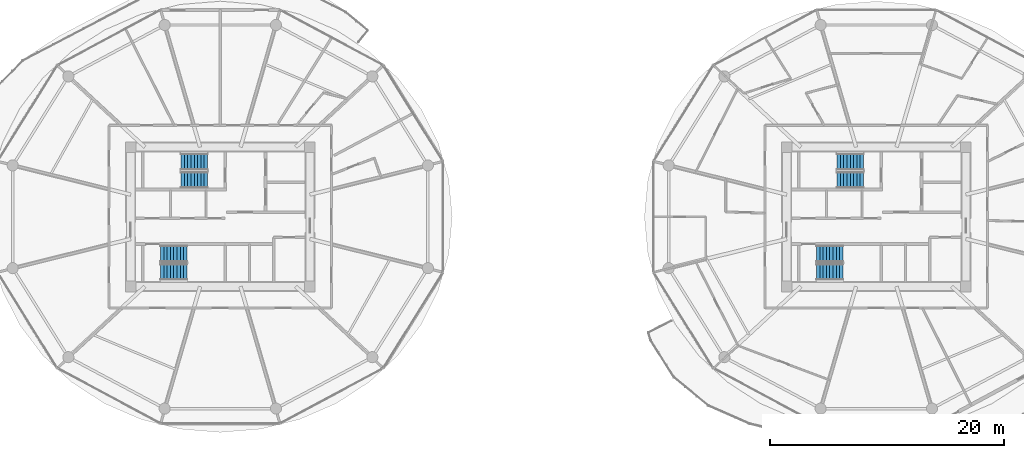
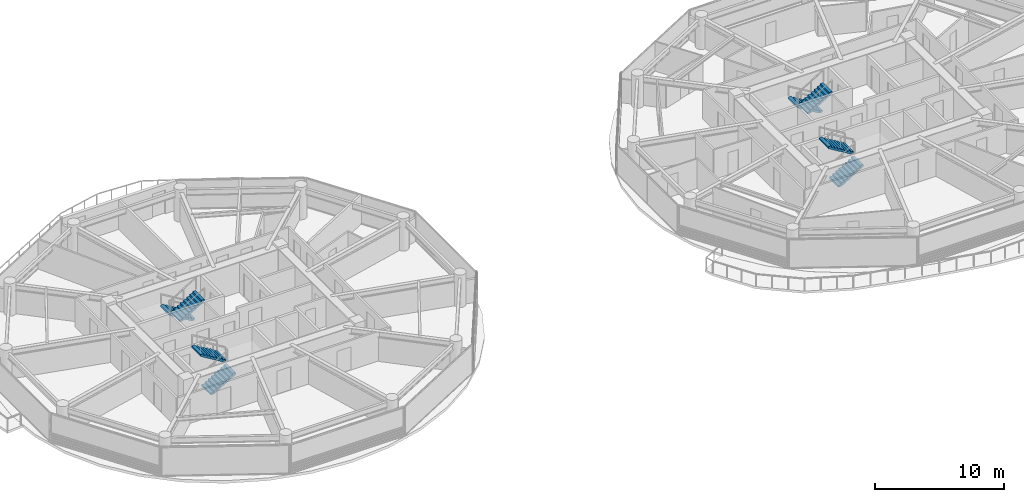
# One storey, part 21 of 26: 8 stair flights, 4 elements without a shape of their own.
"""IFC4 building model written with IfcOpenShell, lengths in metres."""

from ifc_helpers import new_model, si_unit, direction, frame, origin, place, context, subcontext, project, spatial, polyline, outline, extrude, material, type_object, element, aggregate, save


model = new_model("IFC4")

# Units and contexts
model_context = context("Model", 3, precision=1e-05, world=origin(), true_north=direction((0.0, 1.0)))
body_context = subcontext(model_context, "Body", "Model", "MODEL_VIEW")
ifc_project = project(units=[si_unit("LENGTHUNIT", "METRE"), si_unit("AREAUNIT", "SQUARE_METRE"), si_unit("VOLUMEUNIT", "CUBIC_METRE"), si_unit("PLANEANGLEUNIT", "RADIAN"), si_unit("MASSUNIT", "GRAM", prefix="KILO")], contexts=[model_context])

# Site, building, storey
site_placement = place(None, origin())
site = spatial("IfcSite", under=ifc_project, at=site_placement, CompositionType="ELEMENT")
building_placement = place(site_placement, origin())
building = spatial("IfcBuilding", under=site, at=building_placement, Name="Norrkilde Senior Care Towers", CompositionType="ELEMENT")
storey_placement = place(building_placement, frame((0.0, 0.0, 24.64990234375)))
storey = spatial("IfcBuildingStorey", under=building, at=storey_placement, Name="L06", CompositionType="ELEMENT", Elevation=24.64990234375)

# Stair, stair flights
ifc_material = material(Name="Concrete C45/55", Category="concrete")
stair_type = type_object("IfcStairType", Name="Core Protected Dogleg Stair Typical 3050", PredefinedType="HALF_TURN_STAIR", material=ifc_material)
stair_1_placement = place(storey_placement, origin())
stair_1 = element("IfcStair", 1, at=stair_1_placement, inside=storey, type_object=stair_type, Name="L06 Protected Core Stair W1", PredefinedType="HALF_TURN_STAIR")
stair_flight_type = type_object("IfcStairFlightType", Name="Core Protected Dogleg Stair Typical 3050 Flight", PredefinedType="STRAIGHT", material=ifc_material)
stair_flight_1_placement = place(storey_placement, frame((-29.10009765625, 4.699951171875, 0.0), z_axis=(0.0, 0.0, 1.0), x_axis=(-1.0, 0.0, 0.0)))
stair_flight_1 = element("IfcStairFlight", 2, at=stair_flight_1_placement, type_object=stair_flight_type, Name="ST-W1 flight 1", NumberOfRisers=9, NumberOfTreads=8, PredefinedType="STRAIGHT", RiserHeight=0.169444444, TreadLength=0.28, context=body_context, shape_type="SweptSolid", body=[
    extrude(outline(polyline([(0.0, 0.0), (0.0, 0.16943359375), (0.280029296875, 0.16943359375), (0.280029296875, 0.3388671875), (0.56005859375, 0.3388671875), (0.56005859375, 0.50830078125), (0.840087890625, 0.50830078125), (0.840087890625, 0.677734375), (1.1201171875, 0.677734375), (1.1201171875, 0.84716796875), (1.39990234375, 0.84716796875), (1.39990234375, 1.0166015625), (1.679931640625, 1.0166015625), (1.679931640625, 1.18603515625), (1.9599609375, 1.18603515625), (1.9599609375, 1.35546875), (2.239990234375, 1.35546875), (2.239990234375, 1.52490234375), (2.239990234375, 1.180419921875), (0.28955078125, 0.0), (0.0, 0.0)])), frame((0.0, 0.699951171875, 0.0), z_axis=(0.0, -1.0, 0.0), x_axis=(1.0, 0.0, 0.0)), (0.0, 0.0, 1.0), 1.39990234375),
])
stair_flight_2_placement = place(storey_placement, frame((-31.340087890625, 3.14990234375, 1.525146484375), z_axis=(0.0, 0.0, 1.0), x_axis=(1.0, 0.0, 0.0)))
stair_flight_2 = element("IfcStairFlight", 3, at=stair_flight_2_placement, type_object=stair_flight_type, Name="ST-W1 flight 2", NumberOfRisers=9, NumberOfTreads=8, PredefinedType="STRAIGHT", RiserHeight=0.169444444, TreadLength=0.28, context=body_context, shape_type="SweptSolid", body=[
    extrude(outline(polyline([(0.0, 0.0), (0.0, 0.16943359375), (0.280029296875, 0.16943359375), (0.280029296875, 0.3388671875), (0.56005859375, 0.3388671875), (0.56005859375, 0.50830078125), (0.840087890625, 0.50830078125), (0.840087890625, 0.677734375), (1.1201171875, 0.677734375), (1.1201171875, 0.84716796875), (1.39990234375, 0.84716796875), (1.39990234375, 1.0166015625), (1.679931640625, 1.0166015625), (1.679931640625, 1.18603515625), (1.9599609375, 1.18603515625), (1.9599609375, 1.35546875), (2.239990234375, 1.35546875), (2.239990234375, 1.52490234375), (2.239990234375, 1.180419921875), (0.28955078125, 0.0), (0.0, 0.0)])), frame((0.0, 0.699951171875, 0.0), z_axis=(0.0, -1.0, 0.0), x_axis=(1.0, 0.0, 0.0)), (0.0, 0.0, 1.0), 1.39990234375),
])
aggregate(stair_1, [stair_flight_1, stair_flight_2])

stair_2_placement = place(storey_placement, origin())
stair_2 = element("IfcStair", 4, at=stair_2_placement, inside=storey, type_object=stair_type, Name="L06 Protected Core Stair W2", PredefinedType="HALF_TURN_STAIR")
stair_flight_3_placement = place(storey_placement, frame((-33.10009765625, -4.699951171875, 0.0), z_axis=(0.0, 0.0, 1.0), x_axis=(1.0, 0.0, 0.0)))
stair_flight_3 = element("IfcStairFlight", 5, at=stair_flight_3_placement, type_object=stair_flight_type, Name="ST-W2 flight 1", NumberOfRisers=9, NumberOfTreads=8, PredefinedType="STRAIGHT", RiserHeight=0.169444444, TreadLength=0.28, context=body_context, shape_type="SweptSolid", body=[
    extrude(outline(polyline([(0.0, 0.0), (0.0, 0.16943359375), (0.280029296875, 0.16943359375), (0.280029296875, 0.3388671875), (0.56005859375, 0.3388671875), (0.56005859375, 0.50830078125), (0.840087890625, 0.50830078125), (0.840087890625, 0.677734375), (1.1201171875, 0.677734375), (1.1201171875, 0.84716796875), (1.39990234375, 0.84716796875), (1.39990234375, 1.0166015625), (1.679931640625, 1.0166015625), (1.679931640625, 1.18603515625), (1.9599609375, 1.18603515625), (1.9599609375, 1.35546875), (2.239990234375, 1.35546875), (2.239990234375, 1.52490234375), (2.239990234375, 1.180419921875), (0.28955078125, 0.0), (0.0, 0.0)])), frame((0.0, 0.699951171875, 0.0), z_axis=(0.0, -1.0, 0.0), x_axis=(1.0, 0.0, 0.0)), (0.0, 0.0, 1.0), 1.39990234375),
])
stair_flight_4_placement = place(storey_placement, frame((-30.860107421875, -3.14990234375, 1.525146484375), z_axis=(0.0, 0.0, 1.0), x_axis=(-1.0, 0.0, 0.0)))
stair_flight_4 = element("IfcStairFlight", 6, at=stair_flight_4_placement, type_object=stair_flight_type, Name="ST-W2 flight 2", NumberOfRisers=9, NumberOfTreads=8, PredefinedType="STRAIGHT", RiserHeight=0.169444444, TreadLength=0.28, context=body_context, shape_type="SweptSolid", body=[
    extrude(outline(polyline([(0.0, 0.0), (0.0, 0.16943359375), (0.280029296875, 0.16943359375), (0.280029296875, 0.3388671875), (0.56005859375, 0.3388671875), (0.56005859375, 0.50830078125), (0.840087890625, 0.50830078125), (0.840087890625, 0.677734375), (1.1201171875, 0.677734375), (1.1201171875, 0.84716796875), (1.39990234375, 0.84716796875), (1.39990234375, 1.0166015625), (1.679931640625, 1.0166015625), (1.679931640625, 1.18603515625), (1.9599609375, 1.18603515625), (1.9599609375, 1.35546875), (2.239990234375, 1.35546875), (2.239990234375, 1.52490234375), (2.239990234375, 1.180419921875), (0.28955078125, 0.0), (0.0, 0.0)])), frame((0.0, 0.699951171875, 0.0), z_axis=(0.0, -1.0, 0.0), x_axis=(1.0, 0.0, 0.0)), (0.0, 0.0, 1.0), 1.39990234375),
])
aggregate(stair_2, [stair_flight_3, stair_flight_4])

stair_3_placement = place(storey_placement, origin())
stair_3 = element("IfcStair", 7, at=stair_3_placement, inside=storey, type_object=stair_type, Name="L06 Protected Core Stair E1", PredefinedType="HALF_TURN_STAIR")
stair_flight_5_placement = place(storey_placement, frame((26.89990234375, 4.699951171875, 0.0), z_axis=(0.0, 0.0, 1.0), x_axis=(-1.0, 0.0, 0.0)))
stair_flight_5 = element("IfcStairFlight", 8, at=stair_flight_5_placement, type_object=stair_flight_type, Name="ST-E1 flight 1", NumberOfRisers=9, NumberOfTreads=8, PredefinedType="STRAIGHT", RiserHeight=0.169444444, TreadLength=0.28, context=body_context, shape_type="SweptSolid", body=[
    extrude(outline(polyline([(0.0, 0.0), (0.0, 0.16943359375), (0.280029296875, 0.16943359375), (0.280029296875, 0.3388671875), (0.56005859375, 0.3388671875), (0.56005859375, 0.50830078125), (0.840087890625, 0.50830078125), (0.840087890625, 0.677734375), (1.1201171875, 0.677734375), (1.1201171875, 0.84716796875), (1.39990234375, 0.84716796875), (1.39990234375, 1.0166015625), (1.679931640625, 1.0166015625), (1.679931640625, 1.18603515625), (1.9599609375, 1.18603515625), (1.9599609375, 1.35546875), (2.239990234375, 1.35546875), (2.239990234375, 1.52490234375), (2.239990234375, 1.180419921875), (0.28955078125, 0.0), (0.0, 0.0)])), frame((0.0, 0.699951171875, 0.0), z_axis=(0.0, -1.0, 0.0), x_axis=(1.0, 0.0, 0.0)), (0.0, 0.0, 1.0), 1.39990234375),
])
stair_flight_6_placement = place(storey_placement, frame((24.659912109375, 3.14990234375, 1.525146484375), z_axis=(0.0, 0.0, 1.0), x_axis=(1.0, 0.0, 0.0)))
stair_flight_6 = element("IfcStairFlight", 9, at=stair_flight_6_placement, type_object=stair_flight_type, Name="ST-E1 flight 2", NumberOfRisers=9, NumberOfTreads=8, PredefinedType="STRAIGHT", RiserHeight=0.169444444, TreadLength=0.28, context=body_context, shape_type="SweptSolid", body=[
    extrude(outline(polyline([(0.0, 0.0), (0.0, 0.16943359375), (0.280029296875, 0.16943359375), (0.280029296875, 0.3388671875), (0.56005859375, 0.3388671875), (0.56005859375, 0.50830078125), (0.840087890625, 0.50830078125), (0.840087890625, 0.677734375), (1.1201171875, 0.677734375), (1.1201171875, 0.84716796875), (1.39990234375, 0.84716796875), (1.39990234375, 1.0166015625), (1.679931640625, 1.0166015625), (1.679931640625, 1.18603515625), (1.9599609375, 1.18603515625), (1.9599609375, 1.35546875), (2.239990234375, 1.35546875), (2.239990234375, 1.52490234375), (2.239990234375, 1.180419921875), (0.28955078125, 0.0), (0.0, 0.0)])), frame((0.0, 0.699951171875, 0.0), z_axis=(0.0, -1.0, 0.0), x_axis=(1.0, 0.0, 0.0)), (0.0, 0.0, 1.0), 1.39990234375),
])
aggregate(stair_3, [stair_flight_5, stair_flight_6])

stair_4_placement = place(storey_placement, origin())
stair_4 = element("IfcStair", 10, at=stair_4_placement, inside=storey, type_object=stair_type, Name="L06 Protected Core Stair E2", PredefinedType="HALF_TURN_STAIR")
stair_flight_7_placement = place(storey_placement, frame((22.89990234375, -4.699951171875, 0.0), z_axis=(0.0, 0.0, 1.0), x_axis=(1.0, 0.0, 0.0)))
stair_flight_7 = element("IfcStairFlight", 11, at=stair_flight_7_placement, type_object=stair_flight_type, Name="ST-E2 flight 1", NumberOfRisers=9, NumberOfTreads=8, PredefinedType="STRAIGHT", RiserHeight=0.169444444, TreadLength=0.28, context=body_context, shape_type="SweptSolid", body=[
    extrude(outline(polyline([(0.0, 0.0), (0.0, 0.16943359375), (0.280029296875, 0.16943359375), (0.280029296875, 0.3388671875), (0.56005859375, 0.3388671875), (0.56005859375, 0.50830078125), (0.840087890625, 0.50830078125), (0.840087890625, 0.677734375), (1.1201171875, 0.677734375), (1.1201171875, 0.84716796875), (1.39990234375, 0.84716796875), (1.39990234375, 1.0166015625), (1.679931640625, 1.0166015625), (1.679931640625, 1.18603515625), (1.9599609375, 1.18603515625), (1.9599609375, 1.35546875), (2.239990234375, 1.35546875), (2.239990234375, 1.52490234375), (2.239990234375, 1.180419921875), (0.28955078125, 0.0), (0.0, 0.0)])), frame((0.0, 0.699951171875, 0.0), z_axis=(0.0, -1.0, 0.0), x_axis=(1.0, 0.0, 0.0)), (0.0, 0.0, 1.0), 1.39990234375),
])
stair_flight_8_placement = place(storey_placement, frame((25.139892578125, -3.14990234375, 1.525146484375), z_axis=(0.0, 0.0, 1.0), x_axis=(-1.0, 0.0, 0.0)))
stair_flight_8 = element("IfcStairFlight", 12, at=stair_flight_8_placement, type_object=stair_flight_type, Name="ST-E2 flight 2", NumberOfRisers=9, NumberOfTreads=8, PredefinedType="STRAIGHT", RiserHeight=0.169444444, TreadLength=0.28, context=body_context, shape_type="SweptSolid", body=[
    extrude(outline(polyline([(0.0, 0.0), (0.0, 0.16943359375), (0.280029296875, 0.16943359375), (0.280029296875, 0.3388671875), (0.56005859375, 0.3388671875), (0.56005859375, 0.50830078125), (0.840087890625, 0.50830078125), (0.840087890625, 0.677734375), (1.1201171875, 0.677734375), (1.1201171875, 0.84716796875), (1.39990234375, 0.84716796875), (1.39990234375, 1.0166015625), (1.679931640625, 1.0166015625), (1.679931640625, 1.18603515625), (1.9599609375, 1.18603515625), (1.9599609375, 1.35546875), (2.239990234375, 1.35546875), (2.239990234375, 1.52490234375), (2.239990234375, 1.180419921875), (0.28955078125, 0.0), (0.0, 0.0)])), frame((0.0, 0.699951171875, 0.0), z_axis=(0.0, -1.0, 0.0), x_axis=(1.0, 0.0, 0.0)), (0.0, 0.0, 1.0), 1.39990234375),
])
aggregate(stair_4, [stair_flight_7, stair_flight_8])

save(model, "model.ifc")
